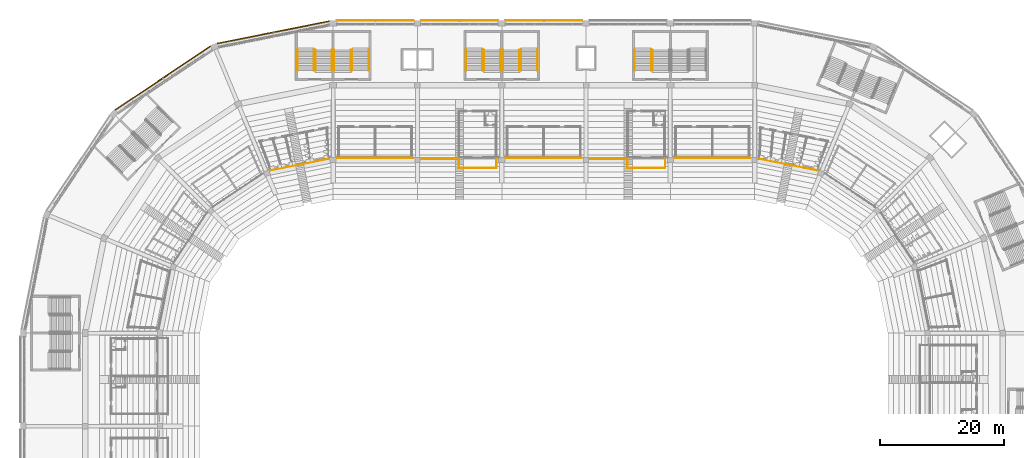
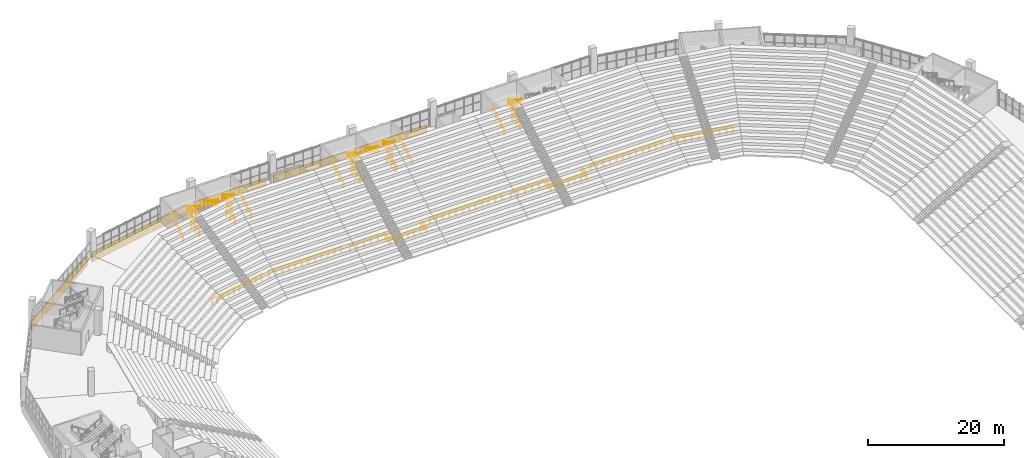
# One storey, part 240 of 249: 42 railings, 5 coverings.
"""IFC4 building model written with IfcOpenShell, lengths in metres."""

from ifc_helpers import new_model, si_unit, direction, frame, origin, origin_2d, place, context, subcontext, project, spatial, polyline, circle, outline, extrude, material, layer, layer_set, type_object, element, save


model = new_model("IFC4")

# Units and contexts
model_context = context("Model", 3, precision=1e-05, world=origin(), true_north=direction((0.0, 1.0)))
body_context = subcontext(model_context, "Body", "Model", "MODEL_VIEW")
ifc_project = project(units=[si_unit("LENGTHUNIT", "METRE"), si_unit("AREAUNIT", "SQUARE_METRE"), si_unit("VOLUMEUNIT", "CUBIC_METRE"), si_unit("PLANEANGLEUNIT", "RADIAN"), si_unit("MASSUNIT", "GRAM", prefix="KILO")], contexts=[model_context])

# Site, building, storey
site_placement = place(None, origin())
site = spatial("IfcSite", under=ifc_project, at=site_placement, CompositionType="ELEMENT")
building_placement = place(site_placement, origin())
building = spatial("IfcBuilding", under=site, at=building_placement, Name="Ogive Plaza Stadium", CompositionType="ELEMENT")
storey_placement = place(building_placement, frame((0.0, 0.0, 13.5)))
storey = spatial("IfcBuildingStorey", under=building, at=storey_placement, Name="L03", CompositionType="ELEMENT", Elevation=13.5)

# Railings
ifc_material_1 = material(Name="Steel ASTM A572 Grade 50", Category="steel")
railing_type_1 = type_object("IfcRailingType", Name="Guard 1100", PredefinedType="GUARDRAIL", material=ifc_material_1)
for number, where, name in (
    (1, (-31.02490234375, 94.85009765625, 0.0), "Stair well guard ST32A L03"),
    (2, (-31.02490234375, 95.81005859375, 2.25), "Stair well guard ST32A L03"),
    (3, (-36.97509765625, 94.85009765625, 0.0), "Stair well guard ST32B L03"),
    (4, (-36.97509765625, 95.81005859375, 2.25), "Stair well guard ST32B L03"),
    (5, (-3.824951171875, 94.85009765625, 0.0), "Stair well guard ST34A L03"),
    (6, (-3.824951171875, 95.81005859375, 2.25), "Stair well guard ST34A L03"),
    (7, (-9.77490234375, 94.85009765625, 0.0), "Stair well guard ST34B L03"),
    (8, (-9.77490234375, 95.81005859375, 2.25), "Stair well guard ST34B L03"),
    (9, (17.425048828125, 94.85009765625, 0.0), "Stair well guard ST36B L03"),
    (10, (17.425048828125, 95.81005859375, 2.25), "Stair well guard ST36B L03"),
):
    element("IfcRailing", number, at=place(storey_placement, frame(where)), inside=storey, type_object=railing_type_1, Name=name, PredefinedType="GUARDRAIL", context=body_context, shape_type="SweptSolid", body=[
        extrude(circle(Radius=0.02392578125, at=origin_2d()), frame((0.0, 0.0, 1.076171875), z_axis=(0.0, 1.0, 0.0), x_axis=(-1.0, 0.0, 0.0)), (0.0, 0.0, 1.0), 2.39990234375),
        extrude(circle(Radius=0.02099609375, at=origin_2d()), origin(), (0.0, 0.0, 1.0), 1.052001953125),
        extrude(circle(Radius=0.02099609375, at=origin_2d()), frame((0.0, 1.199951171875, 0.0)), (0.0, 0.0, 1.0), 1.052001953125),
        extrude(circle(Radius=0.02099609375, at=origin_2d()), frame((0.0, 2.39990234375, 0.0)), (0.0, 0.0, 1.0), 1.052001953125),
    ])
railing_1_placement = place(storey_placement, frame((-44.124267578125, 78.736083984375, 0.0)))
element("IfcRailing", 11, at=railing_1_placement, inside=storey, type_object=railing_type_1, Name="Guard L03 B31", PredefinedType="GUARDRAIL", context=body_context, shape_type="SweptSolid", body=[
    extrude(circle(Radius=0.02392578125, at=origin_2d()), frame((0.0, 0.0, 1.076171875), z_axis=(0.980782150928, 0.195106054289, 0.0), x_axis=(-0.195106054289, 0.980782150928, 0.0)), (0.0, 0.0, 1.0), 9.62255859375),
    extrude(circle(Radius=0.02099609375, at=origin_2d()), origin(), (0.0, 0.0, 1.0), 1.052001953125),
    extrude(circle(Radius=0.02099609375, at=origin_2d()), frame((1.048583984375, 0.20849609375, 0.0)), (0.0, 0.0, 1.0), 1.052001953125),
    extrude(circle(Radius=0.02099609375, at=origin_2d()), frame((2.09716796875, 0.417236328125, 0.0)), (0.0, 0.0, 1.0), 1.052001953125),
    extrude(circle(Radius=0.02099609375, at=origin_2d()), frame((3.14599609375, 0.625732421875, 0.0)), (0.0, 0.0, 1.0), 1.052001953125),
    extrude(circle(Radius=0.02099609375, at=origin_2d()), frame((4.194580078125, 0.83447265625, 0.0)), (0.0, 0.0, 1.0), 1.052001953125),
    extrude(circle(Radius=0.02099609375, at=origin_2d()), frame((5.2431640625, 1.04296875, 0.0)), (0.0, 0.0, 1.0), 1.052001953125),
    extrude(circle(Radius=0.02099609375, at=origin_2d()), frame((6.291748046875, 1.251708984375, 0.0)), (0.0, 0.0, 1.0), 1.052001953125),
    extrude(circle(Radius=0.02099609375, at=origin_2d()), frame((7.340576171875, 1.460205078125, 0.0)), (0.0, 0.0, 1.0), 1.052001953125),
    extrude(circle(Radius=0.02099609375, at=origin_2d()), frame((8.38916015625, 1.6689453125, 0.0)), (0.0, 0.0, 1.0), 1.052001953125),
    extrude(circle(Radius=0.02099609375, at=origin_2d()), frame((9.437744140625, 1.87744140625, 0.0)), (0.0, 0.0, 1.0), 1.052001953125),
])
railing_2_placement = place(storey_placement, frame((-33.300048828125, 80.75, 0.0)))
element("IfcRailing", 12, at=railing_2_placement, inside=storey, type_object=railing_type_1, Name="Guard L03 B32", PredefinedType="GUARDRAIL", context=body_context, shape_type="SweptSolid", body=[
    extrude(circle(Radius=0.02392578125, at=origin_2d()), frame((0.0, 0.0, 1.076171875), z_axis=(1.0, 0.0, 0.0), x_axis=(0.0, 1.0, 0.0)), (0.0, 0.0, 1.0), 12.199951171875),
    extrude(circle(Radius=0.02099609375, at=origin_2d()), origin(), (0.0, 0.0, 1.0), 1.052001953125),
    extrude(circle(Radius=0.02099609375, at=origin_2d()), frame((1.109130859375, 0.0, 0.0)), (0.0, 0.0, 1.0), 1.052001953125),
    extrude(circle(Radius=0.02099609375, at=origin_2d()), frame((2.21826171875, 0.0, 0.0)), (0.0, 0.0, 1.0), 1.052001953125),
    extrude(circle(Radius=0.02099609375, at=origin_2d()), frame((3.3271484375, 0.0, 0.0)), (0.0, 0.0, 1.0), 1.052001953125),
    extrude(circle(Radius=0.02099609375, at=origin_2d()), frame((4.436279296875, 0.0, 0.0)), (0.0, 0.0, 1.0), 1.052001953125),
    extrude(circle(Radius=0.02099609375, at=origin_2d()), frame((5.54541015625, 0.0, 0.0)), (0.0, 0.0, 1.0), 1.052001953125),
    extrude(circle(Radius=0.02099609375, at=origin_2d()), frame((6.654541015625, 0.0, 0.0)), (0.0, 0.0, 1.0), 1.052001953125),
    extrude(circle(Radius=0.02099609375, at=origin_2d()), frame((7.763671875, 0.0, 0.0)), (0.0, 0.0, 1.0), 1.052001953125),
    extrude(circle(Radius=0.02099609375, at=origin_2d()), frame((8.872802734375, 0.0, 0.0)), (0.0, 0.0, 1.0), 1.052001953125),
    extrude(circle(Radius=0.02099609375, at=origin_2d()), frame((9.981689453125, 0.0, 0.0)), (0.0, 0.0, 1.0), 1.052001953125),
    extrude(circle(Radius=0.02099609375, at=origin_2d()), frame((11.0908203125, 0.0, 0.0)), (0.0, 0.0, 1.0), 1.052001953125),
    extrude(circle(Radius=0.02099609375, at=origin_2d()), frame((12.199951171875, 0.0, 0.0)), (0.0, 0.0, 1.0), 1.052001953125),
])
railing_3_placement = place(storey_placement, frame((-6.10009765625, 80.75, 0.0)))
element("IfcRailing", 13, at=railing_3_placement, inside=storey, type_object=railing_type_1, Name="Guard L03 B34", PredefinedType="GUARDRAIL", context=body_context, shape_type="SweptSolid", body=[
    extrude(circle(Radius=0.02392578125, at=origin_2d()), frame((0.0, 0.0, 1.076171875), z_axis=(1.0, 0.0, 0.0), x_axis=(0.0, 1.0, 0.0)), (0.0, 0.0, 1.0), 12.2001953125),
    extrude(circle(Radius=0.02099609375, at=origin_2d()), origin(), (0.0, 0.0, 1.0), 1.052001953125),
    extrude(circle(Radius=0.02099609375, at=origin_2d()), frame((1.109130859375, 0.0, 0.0)), (0.0, 0.0, 1.0), 1.052001953125),
    extrude(circle(Radius=0.02099609375, at=origin_2d()), frame((2.21826171875, 0.0, 0.0)), (0.0, 0.0, 1.0), 1.052001953125),
    extrude(circle(Radius=0.02099609375, at=origin_2d()), frame((3.327392578125, 0.0, 0.0)), (0.0, 0.0, 1.0), 1.052001953125),
    extrude(circle(Radius=0.02099609375, at=origin_2d()), frame((4.4365234375, 0.0, 0.0)), (0.0, 0.0, 1.0), 1.052001953125),
    extrude(circle(Radius=0.02099609375, at=origin_2d()), frame((5.545654296875, 0.0, 0.0)), (0.0, 0.0, 1.0), 1.052001953125),
    extrude(circle(Radius=0.02099609375, at=origin_2d()), frame((6.654541015625, 0.0, 0.0)), (0.0, 0.0, 1.0), 1.052001953125),
    extrude(circle(Radius=0.02099609375, at=origin_2d()), frame((7.763671875, 0.0, 0.0)), (0.0, 0.0, 1.0), 1.052001953125),
    extrude(circle(Radius=0.02099609375, at=origin_2d()), frame((8.872802734375, 0.0, 0.0)), (0.0, 0.0, 1.0), 1.052001953125),
    extrude(circle(Radius=0.02099609375, at=origin_2d()), frame((9.98193359375, 0.0, 0.0)), (0.0, 0.0, 1.0), 1.052001953125),
    extrude(circle(Radius=0.02099609375, at=origin_2d()), frame((11.091064453125, 0.0, 0.0)), (0.0, 0.0, 1.0), 1.052001953125),
    extrude(circle(Radius=0.02099609375, at=origin_2d()), frame((12.2001953125, 0.0, 0.0)), (0.0, 0.0, 1.0), 1.052001953125),
])
railing_4_placement = place(storey_placement, frame((21.10009765625, 80.75, 0.0)))
element("IfcRailing", 14, at=railing_4_placement, inside=storey, type_object=railing_type_1, Name="Guard L03 B36", PredefinedType="GUARDRAIL", context=body_context, shape_type="SweptSolid", body=[
    extrude(circle(Radius=0.02392578125, at=origin_2d()), frame((0.0, 0.0, 1.076171875), z_axis=(1.0, 0.0, 0.0), x_axis=(0.0, 1.0, 0.0)), (0.0, 0.0, 1.0), 12.199951171875),
    extrude(circle(Radius=0.02099609375, at=origin_2d()), origin(), (0.0, 0.0, 1.0), 1.052001953125),
    extrude(circle(Radius=0.02099609375, at=origin_2d()), frame((1.109130859375, 0.0, 0.0)), (0.0, 0.0, 1.0), 1.052001953125),
    extrude(circle(Radius=0.02099609375, at=origin_2d()), frame((2.21826171875, 0.0, 0.0)), (0.0, 0.0, 1.0), 1.052001953125),
    extrude(circle(Radius=0.02099609375, at=origin_2d()), frame((3.3271484375, 0.0, 0.0)), (0.0, 0.0, 1.0), 1.052001953125),
    extrude(circle(Radius=0.02099609375, at=origin_2d()), frame((4.436279296875, 0.0, 0.0)), (0.0, 0.0, 1.0), 1.052001953125),
    extrude(circle(Radius=0.02099609375, at=origin_2d()), frame((5.54541015625, 0.0, 0.0)), (0.0, 0.0, 1.0), 1.052001953125),
    extrude(circle(Radius=0.02099609375, at=origin_2d()), frame((6.654541015625, 0.0, 0.0)), (0.0, 0.0, 1.0), 1.052001953125),
    extrude(circle(Radius=0.02099609375, at=origin_2d()), frame((7.763671875, 0.0, 0.0)), (0.0, 0.0, 1.0), 1.052001953125),
    extrude(circle(Radius=0.02099609375, at=origin_2d()), frame((8.872802734375, 0.0, 0.0)), (0.0, 0.0, 1.0), 1.052001953125),
    extrude(circle(Radius=0.02099609375, at=origin_2d()), frame((9.981689453125, 0.0, 0.0)), (0.0, 0.0, 1.0), 1.052001953125),
    extrude(circle(Radius=0.02099609375, at=origin_2d()), frame((11.0908203125, 0.0, 0.0)), (0.0, 0.0, 1.0), 1.052001953125),
    extrude(circle(Radius=0.02099609375, at=origin_2d()), frame((12.199951171875, 0.0, 0.0)), (0.0, 0.0, 1.0), 1.052001953125),
])
railing_5_placement = place(storey_placement, frame((34.6865234375, 80.613525390625, 0.0)))
element("IfcRailing", 15, at=railing_5_placement, inside=storey, type_object=railing_type_1, Name="Guard L03 B37", PredefinedType="GUARDRAIL", context=body_context, shape_type="SweptSolid", body=[
    extrude(circle(Radius=0.02392578125, at=origin_2d()), frame((0.0, 0.0, 1.076171875), z_axis=(0.980782150928, -0.195106054289, 0.0), x_axis=(0.195106054289, 0.980782150928, 0.0)), (0.0, 0.0, 1.0), 9.62255859375),
    extrude(circle(Radius=0.02099609375, at=origin_2d()), origin(), (0.0, 0.0, 1.0), 1.052001953125),
    extrude(circle(Radius=0.02099609375, at=origin_2d()), frame((1.048583984375, -0.20849609375, 0.0)), (0.0, 0.0, 1.0), 1.052001953125),
    extrude(circle(Radius=0.02099609375, at=origin_2d()), frame((2.09716796875, -0.417236328125, 0.0)), (0.0, 0.0, 1.0), 1.052001953125),
    extrude(circle(Radius=0.02099609375, at=origin_2d()), frame((3.14599609375, -0.625732421875, 0.0)), (0.0, 0.0, 1.0), 1.052001953125),
    extrude(circle(Radius=0.02099609375, at=origin_2d()), frame((4.194580078125, -0.83447265625, 0.0)), (0.0, 0.0, 1.0), 1.052001953125),
    extrude(circle(Radius=0.02099609375, at=origin_2d()), frame((5.2431640625, -1.04296875, 0.0)), (0.0, 0.0, 1.0), 1.052001953125),
    extrude(circle(Radius=0.02099609375, at=origin_2d()), frame((6.291748046875, -1.251708984375, 0.0)), (0.0, 0.0, 1.0), 1.052001953125),
    extrude(circle(Radius=0.02099609375, at=origin_2d()), frame((7.340576171875, -1.460205078125, 0.0)), (0.0, 0.0, 1.0), 1.052001953125),
    extrude(circle(Radius=0.02099609375, at=origin_2d()), frame((8.38916015625, -1.6689453125, 0.0)), (0.0, 0.0, 1.0), 1.052001953125),
    extrude(circle(Radius=0.02099609375, at=origin_2d()), frame((9.437744140625, -1.87744140625, 0.0)), (0.0, 0.0, 1.0), 1.052001953125),
])
railing_6_placement = place(storey_placement, frame((-7.625, 79.14990234375, 0.0)))
element("IfcRailing", 16, at=railing_6_placement, inside=storey, type_object=railing_type_1, Name="Terrace guard B33", PredefinedType="GUARDRAIL", context=body_context, shape_type="SweptSolid", body=[
    extrude(circle(Radius=0.02392578125, at=origin_2d()), frame((0.0, 0.0, 1.076171875), z_axis=(-1.0, 0.0, 0.0), x_axis=(0.0, -1.0, 0.0)), (0.0, 0.0, 1.0), 6.14990234375),
    extrude(circle(Radius=0.02099609375, at=origin_2d()), origin(), (0.0, 0.0, 1.0), 1.052001953125),
    extrude(circle(Radius=0.02099609375, at=origin_2d()), frame((-1.02490234375, 0.0, 0.0)), (0.0, 0.0, 1.0), 1.052001953125),
    extrude(circle(Radius=0.02099609375, at=origin_2d()), frame((-2.050048828125, 0.0, 0.0)), (0.0, 0.0, 1.0), 1.052001953125),
    extrude(circle(Radius=0.02099609375, at=origin_2d()), frame((-3.074951171875, 0.0, 0.0)), (0.0, 0.0, 1.0), 1.052001953125),
    extrude(circle(Radius=0.02099609375, at=origin_2d()), frame((-4.099853515625, 0.0, 0.0)), (0.0, 0.0, 1.0), 1.052001953125),
    extrude(circle(Radius=0.02099609375, at=origin_2d()), frame((-5.125, 0.0, 0.0)), (0.0, 0.0, 1.0), 1.052001953125),
    extrude(circle(Radius=0.02099609375, at=origin_2d()), frame((-6.14990234375, 0.0, 0.0)), (0.0, 0.0, 1.0), 1.052001953125),
])
railing_7_placement = place(storey_placement, frame((-13.77490234375, 80.550048828125, 0.0)))
element("IfcRailing", 17, at=railing_7_placement, inside=storey, type_object=railing_type_1, Name="Floor edge guard B33", PredefinedType="GUARDRAIL", context=body_context, shape_type="SweptSolid", body=[
    extrude(circle(Radius=0.02392578125, at=origin_2d()), frame((0.0, 0.0, 1.076171875), z_axis=(-1.0, 0.0, 0.0), x_axis=(0.0, -1.0, 0.0)), (0.0, 0.0, 1.0), 5.925048828125),
    extrude(circle(Radius=0.02099609375, at=origin_2d()), origin(), (0.0, 0.0, 1.0), 1.052001953125),
    extrude(circle(Radius=0.02099609375, at=origin_2d()), frame((-1.18505859375, 0.0, 0.0)), (0.0, 0.0, 1.0), 1.052001953125),
    extrude(circle(Radius=0.02099609375, at=origin_2d()), frame((-2.3701171875, 0.0, 0.0)), (0.0, 0.0, 1.0), 1.052001953125),
    extrude(circle(Radius=0.02099609375, at=origin_2d()), frame((-3.554931640625, 0.0, 0.0)), (0.0, 0.0, 1.0), 1.052001953125),
    extrude(circle(Radius=0.02099609375, at=origin_2d()), frame((-4.739990234375, 0.0, 0.0)), (0.0, 0.0, 1.0), 1.052001953125),
    extrude(circle(Radius=0.02099609375, at=origin_2d()), frame((-5.925048828125, 0.0, 0.0)), (0.0, 0.0, 1.0), 1.052001953125),
])
for number, where, name in (
    (18, (-7.625, 79.14990234375, 0.0), "Terrace screen B33"),
    (19, (-13.699951171875, 79.14990234375, 0.0), "Terrace screen B33"),
):
    element("IfcRailing", number, at=place(storey_placement, frame(where)), inside=storey, type_object=railing_type_1, Name=name, PredefinedType="GUARDRAIL", context=body_context, shape_type="SweptSolid", body=[
        extrude(circle(Radius=0.02392578125, at=origin_2d()), frame((0.0, 0.0, 1.076171875), z_axis=(0.0, 1.0, 0.0), x_axis=(-1.0, 0.0, 0.0)), (0.0, 0.0, 1.0), 1.4501953125),
        extrude(circle(Radius=0.02099609375, at=origin_2d()), origin(), (0.0, 0.0, 1.0), 1.052001953125),
        extrude(circle(Radius=0.02099609375, at=origin_2d()), frame((0.0, 0.72509765625, 0.0)), (0.0, 0.0, 1.0), 1.052001953125),
        extrude(circle(Radius=0.02099609375, at=origin_2d()), frame((0.0, 1.4501953125, 0.0)), (0.0, 0.0, 1.0), 1.052001953125),
    ])
railing_8_placement = place(storey_placement, frame((19.574951171875, 79.14990234375, 0.0)))
element("IfcRailing", 20, at=railing_8_placement, inside=storey, type_object=railing_type_1, Name="Terrace guard B35", PredefinedType="GUARDRAIL", context=body_context, shape_type="SweptSolid", body=[
    extrude(circle(Radius=0.02392578125, at=origin_2d()), frame((0.0, 0.0, 1.076171875), z_axis=(-1.0, 0.0, 0.0), x_axis=(0.0, -1.0, 0.0)), (0.0, 0.0, 1.0), 6.14990234375),
    extrude(circle(Radius=0.02099609375, at=origin_2d()), origin(), (0.0, 0.0, 1.0), 1.052001953125),
    extrude(circle(Radius=0.02099609375, at=origin_2d()), frame((-1.02490234375, 0.0, 0.0)), (0.0, 0.0, 1.0), 1.052001953125),
    extrude(circle(Radius=0.02099609375, at=origin_2d()), frame((-2.050048828125, 0.0, 0.0)), (0.0, 0.0, 1.0), 1.052001953125),
    extrude(circle(Radius=0.02099609375, at=origin_2d()), frame((-3.074951171875, 0.0, 0.0)), (0.0, 0.0, 1.0), 1.052001953125),
    extrude(circle(Radius=0.02099609375, at=origin_2d()), frame((-4.099853515625, 0.0, 0.0)), (0.0, 0.0, 1.0), 1.052001953125),
    extrude(circle(Radius=0.02099609375, at=origin_2d()), frame((-5.125, 0.0, 0.0)), (0.0, 0.0, 1.0), 1.052001953125),
    extrude(circle(Radius=0.02099609375, at=origin_2d()), frame((-6.14990234375, 0.0, 0.0)), (0.0, 0.0, 1.0), 1.052001953125),
])
railing_9_placement = place(storey_placement, frame((13.425048828125, 80.550048828125, 0.0)))
element("IfcRailing", 21, at=railing_9_placement, inside=storey, type_object=railing_type_1, Name="Floor edge guard B35", PredefinedType="GUARDRAIL", context=body_context, shape_type="SweptSolid", body=[
    extrude(circle(Radius=0.02392578125, at=origin_2d()), frame((0.0, 0.0, 1.076171875), z_axis=(-1.0, 0.0, 0.0), x_axis=(0.0, -1.0, 0.0)), (0.0, 0.0, 1.0), 5.925048828125),
    extrude(circle(Radius=0.02099609375, at=origin_2d()), origin(), (0.0, 0.0, 1.0), 1.052001953125),
    extrude(circle(Radius=0.02099609375, at=origin_2d()), frame((-1.18505859375, 0.0, 0.0)), (0.0, 0.0, 1.0), 1.052001953125),
    extrude(circle(Radius=0.02099609375, at=origin_2d()), frame((-2.3701171875, 0.0, 0.0)), (0.0, 0.0, 1.0), 1.052001953125),
    extrude(circle(Radius=0.02099609375, at=origin_2d()), frame((-3.554931640625, 0.0, 0.0)), (0.0, 0.0, 1.0), 1.052001953125),
    extrude(circle(Radius=0.02099609375, at=origin_2d()), frame((-4.739990234375, 0.0, 0.0)), (0.0, 0.0, 1.0), 1.052001953125),
    extrude(circle(Radius=0.02099609375, at=origin_2d()), frame((-5.925048828125, 0.0, 0.0)), (0.0, 0.0, 1.0), 1.052001953125),
])
for number, where, name in (
    (22, (19.574951171875, 79.14990234375, 0.0), "Terrace screen B35"),
    (23, (13.5, 79.14990234375, 0.0), "Terrace screen B35"),
):
    element("IfcRailing", number, at=place(storey_placement, frame(where)), inside=storey, type_object=railing_type_1, Name=name, PredefinedType="GUARDRAIL", context=body_context, shape_type="SweptSolid", body=[
        extrude(circle(Radius=0.02392578125, at=origin_2d()), frame((0.0, 0.0, 1.076171875), z_axis=(0.0, 1.0, 0.0), x_axis=(-1.0, 0.0, 0.0)), (0.0, 0.0, 1.0), 1.4501953125),
        extrude(circle(Radius=0.02099609375, at=origin_2d()), origin(), (0.0, 0.0, 1.0), 1.052001953125),
        extrude(circle(Radius=0.02099609375, at=origin_2d()), frame((0.0, 0.72509765625, 0.0)), (0.0, 0.0, 1.0), 1.052001953125),
        extrude(circle(Radius=0.02099609375, at=origin_2d()), frame((0.0, 1.4501953125, 0.0)), (0.0, 0.0, 1.0), 1.052001953125),
    ])
ifc_material_2 = material(Name="Steel ASTM A572 Grade 50", Category="steel")
railing_type_2 = type_object("IfcRailingType", Name="Handrail 900", PredefinedType="HANDRAIL", material=ifc_material_2)
for number, where, name in (
    (24, (-28.235107421875, 94.85009765625, 0.173095703125), "Handrail ST32A L03"),
    (25, (-30.9150390625, 94.85009765625, 0.173095703125), "Handrail ST32A L03"),
):
    element("IfcRailing", number, at=place(storey_placement, frame(where)), inside=storey, type_object=railing_type_2, Name=name, PredefinedType="HANDRAIL", context=body_context, shape_type="SweptSolid", body=[
        extrude(circle(Radius=0.02392578125, at=origin_2d()), frame((0.0, 0.0, 0.8759765625), z_axis=(0.0, 0.850606129759, 0.525803396734), x_axis=(-1.0, 0.0, 0.0)), (0.0, 0.0, 1.0), 3.949951171875),
        extrude(circle(Radius=0.02099609375, at=origin_2d()), origin(), (0.0, 0.0, 1.0), 0.851806640625),
        extrude(circle(Radius=0.02099609375, at=origin_2d()), frame((0.0, 1.119873046875, 0.6923828125)), (0.0, 0.0, 1.0), 0.851806640625),
        extrude(circle(Radius=0.02099609375, at=origin_2d()), frame((0.0, 2.239990234375, 1.384521484375)), (0.0, 0.0, 1.0), 0.851806640625),
        extrude(circle(Radius=0.02099609375, at=origin_2d()), frame((0.0, 3.35986328125, 2.076904296875)), (0.0, 0.0, 1.0), 1.10009765625),
    ])
for number, where, name in (
    (26, (-31.135009765625, 98.2099609375, 2.423095703125), "Handrail ST32A L03"),
    (27, (-33.81494140625, 98.2099609375, 2.423095703125), "Handrail ST32A L03"),
):
    element("IfcRailing", number, at=place(storey_placement, frame(where)), inside=storey, type_object=railing_type_2, Name=name, PredefinedType="HANDRAIL", context=body_context, shape_type="SweptSolid", body=[
        extrude(circle(Radius=0.02392578125, at=origin_2d()), frame((0.0, 0.0, 0.8759765625), z_axis=(0.0, -0.850606129759, 0.525803396734), x_axis=(1.0, 0.0, 0.0)), (0.0, 0.0, 1.0), 3.949951171875),
        extrude(circle(Radius=0.02099609375, at=origin_2d()), origin(), (0.0, 0.0, 1.0), 0.851806640625),
        extrude(circle(Radius=0.02099609375, at=origin_2d()), frame((0.0, -1.119873046875, 0.6923828125)), (0.0, 0.0, 1.0), 0.851806640625),
        extrude(circle(Radius=0.02099609375, at=origin_2d()), frame((0.0, -2.239990234375, 1.384521484375)), (0.0, 0.0, 1.0), 0.851806640625),
        extrude(circle(Radius=0.02099609375, at=origin_2d()), frame((0.0, -3.35986328125, 2.076904296875)), (0.0, 0.0, 1.0), 1.10009765625),
    ])
for number, where, name in (
    (28, (-37.0849609375, 94.85009765625, 0.173095703125), "Handrail ST32B L03"),
    (29, (-39.764892578125, 94.85009765625, 0.173095703125), "Handrail ST32B L03"),
):
    element("IfcRailing", number, at=place(storey_placement, frame(where)), inside=storey, type_object=railing_type_2, Name=name, PredefinedType="HANDRAIL", context=body_context, shape_type="SweptSolid", body=[
        extrude(circle(Radius=0.02392578125, at=origin_2d()), frame((0.0, 0.0, 0.8759765625), z_axis=(0.0, 0.850606129759, 0.525803396734), x_axis=(-1.0, 0.0, 0.0)), (0.0, 0.0, 1.0), 3.949951171875),
        extrude(circle(Radius=0.02099609375, at=origin_2d()), origin(), (0.0, 0.0, 1.0), 0.851806640625),
        extrude(circle(Radius=0.02099609375, at=origin_2d()), frame((0.0, 1.119873046875, 0.6923828125)), (0.0, 0.0, 1.0), 0.851806640625),
        extrude(circle(Radius=0.02099609375, at=origin_2d()), frame((0.0, 2.239990234375, 1.384521484375)), (0.0, 0.0, 1.0), 0.851806640625),
        extrude(circle(Radius=0.02099609375, at=origin_2d()), frame((0.0, 3.35986328125, 2.076904296875)), (0.0, 0.0, 1.0), 1.10009765625),
    ])
for number, where, name in (
    (30, (-34.18505859375, 98.2099609375, 2.423095703125), "Handrail ST32B L03"),
    (31, (-36.864990234375, 98.2099609375, 2.423095703125), "Handrail ST32B L03"),
):
    element("IfcRailing", number, at=place(storey_placement, frame(where)), inside=storey, type_object=railing_type_2, Name=name, PredefinedType="HANDRAIL", context=body_context, shape_type="SweptSolid", body=[
        extrude(circle(Radius=0.02392578125, at=origin_2d()), frame((0.0, 0.0, 0.8759765625), z_axis=(0.0, -0.850606129759, 0.525803396734), x_axis=(1.0, 0.0, 0.0)), (0.0, 0.0, 1.0), 3.949951171875),
        extrude(circle(Radius=0.02099609375, at=origin_2d()), origin(), (0.0, 0.0, 1.0), 0.851806640625),
        extrude(circle(Radius=0.02099609375, at=origin_2d()), frame((0.0, -1.119873046875, 0.6923828125)), (0.0, 0.0, 1.0), 0.851806640625),
        extrude(circle(Radius=0.02099609375, at=origin_2d()), frame((0.0, -2.239990234375, 1.384521484375)), (0.0, 0.0, 1.0), 0.851806640625),
        extrude(circle(Radius=0.02099609375, at=origin_2d()), frame((0.0, -3.35986328125, 2.076904296875)), (0.0, 0.0, 1.0), 1.10009765625),
    ])
for number, where, name in (
    (32, (-1.034912109375, 94.85009765625, 0.173095703125), "Handrail ST34A L03"),
    (33, (-3.715087890625, 94.85009765625, 0.173095703125), "Handrail ST34A L03"),
):
    element("IfcRailing", number, at=place(storey_placement, frame(where)), inside=storey, type_object=railing_type_2, Name=name, PredefinedType="HANDRAIL", context=body_context, shape_type="SweptSolid", body=[
        extrude(circle(Radius=0.02392578125, at=origin_2d()), frame((0.0, 0.0, 0.8759765625), z_axis=(0.0, 0.850606129759, 0.525803396734), x_axis=(-1.0, 0.0, 0.0)), (0.0, 0.0, 1.0), 3.949951171875),
        extrude(circle(Radius=0.02099609375, at=origin_2d()), origin(), (0.0, 0.0, 1.0), 0.851806640625),
        extrude(circle(Radius=0.02099609375, at=origin_2d()), frame((0.0, 1.119873046875, 0.6923828125)), (0.0, 0.0, 1.0), 0.851806640625),
        extrude(circle(Radius=0.02099609375, at=origin_2d()), frame((0.0, 2.239990234375, 1.384521484375)), (0.0, 0.0, 1.0), 0.851806640625),
        extrude(circle(Radius=0.02099609375, at=origin_2d()), frame((0.0, 3.35986328125, 2.076904296875)), (0.0, 0.0, 1.0), 1.10009765625),
    ])
for number, where, name in (
    (34, (-3.93505859375, 98.2099609375, 2.423095703125), "Handrail ST34A L03"),
    (35, (-6.614990234375, 98.2099609375, 2.423095703125), "Handrail ST34A L03"),
):
    element("IfcRailing", number, at=place(storey_placement, frame(where)), inside=storey, type_object=railing_type_2, Name=name, PredefinedType="HANDRAIL", context=body_context, shape_type="SweptSolid", body=[
        extrude(circle(Radius=0.02392578125, at=origin_2d()), frame((0.0, 0.0, 0.8759765625), z_axis=(0.0, -0.850606129759, 0.525803396734), x_axis=(1.0, 0.0, 0.0)), (0.0, 0.0, 1.0), 3.949951171875),
        extrude(circle(Radius=0.02099609375, at=origin_2d()), origin(), (0.0, 0.0, 1.0), 0.851806640625),
        extrude(circle(Radius=0.02099609375, at=origin_2d()), frame((0.0, -1.119873046875, 0.6923828125)), (0.0, 0.0, 1.0), 0.851806640625),
        extrude(circle(Radius=0.02099609375, at=origin_2d()), frame((0.0, -2.239990234375, 1.384521484375)), (0.0, 0.0, 1.0), 0.851806640625),
        extrude(circle(Radius=0.02099609375, at=origin_2d()), frame((0.0, -3.35986328125, 2.076904296875)), (0.0, 0.0, 1.0), 1.10009765625),
    ])
for number, where, name in (
    (36, (-9.885009765625, 94.85009765625, 0.173095703125), "Handrail ST34B L03"),
    (37, (-12.56494140625, 94.85009765625, 0.173095703125), "Handrail ST34B L03"),
):
    element("IfcRailing", number, at=place(storey_placement, frame(where)), inside=storey, type_object=railing_type_2, Name=name, PredefinedType="HANDRAIL", context=body_context, shape_type="SweptSolid", body=[
        extrude(circle(Radius=0.02392578125, at=origin_2d()), frame((0.0, 0.0, 0.8759765625), z_axis=(0.0, 0.850606129759, 0.525803396734), x_axis=(-1.0, 0.0, 0.0)), (0.0, 0.0, 1.0), 3.949951171875),
        extrude(circle(Radius=0.02099609375, at=origin_2d()), origin(), (0.0, 0.0, 1.0), 0.851806640625),
        extrude(circle(Radius=0.02099609375, at=origin_2d()), frame((0.0, 1.119873046875, 0.6923828125)), (0.0, 0.0, 1.0), 0.851806640625),
        extrude(circle(Radius=0.02099609375, at=origin_2d()), frame((0.0, 2.239990234375, 1.384521484375)), (0.0, 0.0, 1.0), 0.851806640625),
        extrude(circle(Radius=0.02099609375, at=origin_2d()), frame((0.0, 3.35986328125, 2.076904296875)), (0.0, 0.0, 1.0), 1.10009765625),
    ])
for number, where, name in (
    (38, (-6.985107421875, 98.2099609375, 2.423095703125), "Handrail ST34B L03"),
    (39, (-9.6650390625, 98.2099609375, 2.423095703125), "Handrail ST34B L03"),
):
    element("IfcRailing", number, at=place(storey_placement, frame(where)), inside=storey, type_object=railing_type_2, Name=name, PredefinedType="HANDRAIL", context=body_context, shape_type="SweptSolid", body=[
        extrude(circle(Radius=0.02392578125, at=origin_2d()), frame((0.0, 0.0, 0.8759765625), z_axis=(0.0, -0.850606129759, 0.525803396734), x_axis=(1.0, 0.0, 0.0)), (0.0, 0.0, 1.0), 3.949951171875),
        extrude(circle(Radius=0.02099609375, at=origin_2d()), origin(), (0.0, 0.0, 1.0), 0.851806640625),
        extrude(circle(Radius=0.02099609375, at=origin_2d()), frame((0.0, -1.119873046875, 0.6923828125)), (0.0, 0.0, 1.0), 0.851806640625),
        extrude(circle(Radius=0.02099609375, at=origin_2d()), frame((0.0, -2.239990234375, 1.384521484375)), (0.0, 0.0, 1.0), 0.851806640625),
        extrude(circle(Radius=0.02099609375, at=origin_2d()), frame((0.0, -3.35986328125, 2.076904296875)), (0.0, 0.0, 1.0), 1.10009765625),
    ])
for number, where, name in (
    (40, (17.31494140625, 94.85009765625, 0.173095703125), "Handrail ST36B L03"),
    (41, (14.635009765625, 94.85009765625, 0.173095703125), "Handrail ST36B L03"),
):
    element("IfcRailing", number, at=place(storey_placement, frame(where)), inside=storey, type_object=railing_type_2, Name=name, PredefinedType="HANDRAIL", context=body_context, shape_type="SweptSolid", body=[
        extrude(circle(Radius=0.02392578125, at=origin_2d()), frame((0.0, 0.0, 0.8759765625), z_axis=(0.0, 0.850606129759, 0.525803396734), x_axis=(-1.0, 0.0, 0.0)), (0.0, 0.0, 1.0), 3.949951171875),
        extrude(circle(Radius=0.02099609375, at=origin_2d()), origin(), (0.0, 0.0, 1.0), 0.851806640625),
        extrude(circle(Radius=0.02099609375, at=origin_2d()), frame((0.0, 1.119873046875, 0.6923828125)), (0.0, 0.0, 1.0), 0.851806640625),
        extrude(circle(Radius=0.02099609375, at=origin_2d()), frame((0.0, 2.239990234375, 1.384521484375)), (0.0, 0.0, 1.0), 0.851806640625),
        extrude(circle(Radius=0.02099609375, at=origin_2d()), frame((0.0, 3.35986328125, 2.076904296875)), (0.0, 0.0, 1.0), 1.10009765625),
    ])
railing_10_placement = place(storey_placement, frame((17.534912109375, 98.2099609375, 2.423095703125)))
element("IfcRailing", 42, at=railing_10_placement, inside=storey, type_object=railing_type_2, Name="Handrail ST36B L03", PredefinedType="HANDRAIL", context=body_context, shape_type="SweptSolid", body=[
    extrude(circle(Radius=0.02392578125, at=origin_2d()), frame((0.0, 0.0, 0.8759765625), z_axis=(0.0, -0.850606129759, 0.525803396734), x_axis=(1.0, 0.0, 0.0)), (0.0, 0.0, 1.0), 3.949951171875),
    extrude(circle(Radius=0.02099609375, at=origin_2d()), origin(), (0.0, 0.0, 1.0), 0.851806640625),
    extrude(circle(Radius=0.02099609375, at=origin_2d()), frame((0.0, -1.119873046875, 0.6923828125)), (0.0, 0.0, 1.0), 0.851806640625),
    extrude(circle(Radius=0.02099609375, at=origin_2d()), frame((0.0, -2.239990234375, 1.384521484375)), (0.0, 0.0, 1.0), 0.851806640625),
    extrude(circle(Radius=0.02099609375, at=origin_2d()), frame((0.0, -3.35986328125, 2.076904296875)), (0.0, 0.0, 1.0), 1.10009765625),
])

# Coverings
ifc_material_3 = material(Name="Cast stone (reconstituted limestone)", Category="masonry")
ifc_layer = layer(ifc_material_3, 0.159912109375)
ifc_layer_set = layer_set([ifc_layer], Name="Precast spandrel cladding 160")
covering_type = type_object("IfcCoveringType", Name="Precast spandrel cladding 160", PredefinedType="CLADDING", material=ifc_layer_set)
covering_1_placement = place(storey_placement, frame((0.0, 0.0, -1.7099609375)))
element("IfcCovering", 43, at=covering_1_placement, inside=storey, type_object=covering_type, Name="SPANDREL CLADDING B30 L03", PredefinedType="CLADDING", context=body_context, shape_type="SweptSolid", body=[
    extrude(outline(polyline([(-69.141357421875, 88.419189453125), (-53.737060546875, 98.712158203125), (-53.825927734375, 98.84521484375), (-69.230224609375, 88.55224609375), (-69.141357421875, 88.419189453125)])), origin(), (0.0, 0.0, 1.0), 1.7099609375),
])
covering_2_placement = place(storey_placement, frame((0.0, 0.0, -1.7099609375)))
element("IfcCovering", 44, at=covering_2_placement, inside=storey, type_object=covering_type, Name="SPANDREL CLADDING B31 L03", PredefinedType="CLADDING", context=body_context, shape_type="SweptSolid", body=[
    extrude(outline(polyline([(-52.670654296875, 99.14306640625), (-34.60009765625, 102.737548828125), (-34.631103515625, 102.89453125), (-52.701904296875, 99.300048828125), (-52.670654296875, 99.14306640625)])), origin(), (0.0, 0.0, 1.0), 1.7099609375),
])
covering_3_placement = place(storey_placement, frame((0.0, 0.0, -1.409912109375)))
element("IfcCovering", 45, at=covering_3_placement, inside=storey, type_object=covering_type, Name="SPANDREL CLADDING B32 L03", PredefinedType="CLADDING", context=body_context, shape_type="SweptSolid", body=[
    extrude(outline(polyline([(-33.39990234375, 102.85009765625), (-21.0, 102.85009765625), (-21.0, 103.010009765625), (-33.39990234375, 103.010009765625), (-33.39990234375, 102.85009765625)])), origin(), (0.0, 0.0, 1.0), 1.409912109375),
])
covering_4_placement = place(storey_placement, frame((0.0, 0.0, -1.409912109375)))
element("IfcCovering", 46, at=covering_4_placement, inside=storey, type_object=covering_type, Name="SPANDREL CLADDING B33 L03", PredefinedType="CLADDING", context=body_context, shape_type="SweptSolid", body=[
    extrude(outline(polyline([(-19.800048828125, 102.85009765625), (-7.39990234375, 102.85009765625), (-7.39990234375, 103.010009765625), (-19.800048828125, 103.010009765625), (-19.800048828125, 102.85009765625)])), origin(), (0.0, 0.0, 1.0), 1.409912109375),
])
covering_5_placement = place(storey_placement, frame((0.0, 0.0, -1.409912109375)))
element("IfcCovering", 47, at=covering_5_placement, inside=storey, type_object=covering_type, Name="SPANDREL CLADDING B34 L03", PredefinedType="CLADDING", context=body_context, shape_type="SweptSolid", body=[
    extrude(outline(polyline([(-6.199951171875, 102.85009765625), (6.199951171875, 102.85009765625), (6.199951171875, 103.010009765625), (-6.199951171875, 103.010009765625), (-6.199951171875, 102.85009765625)])), origin(), (0.0, 0.0, 1.0), 1.409912109375),
])

save(model, "model.ifc")
